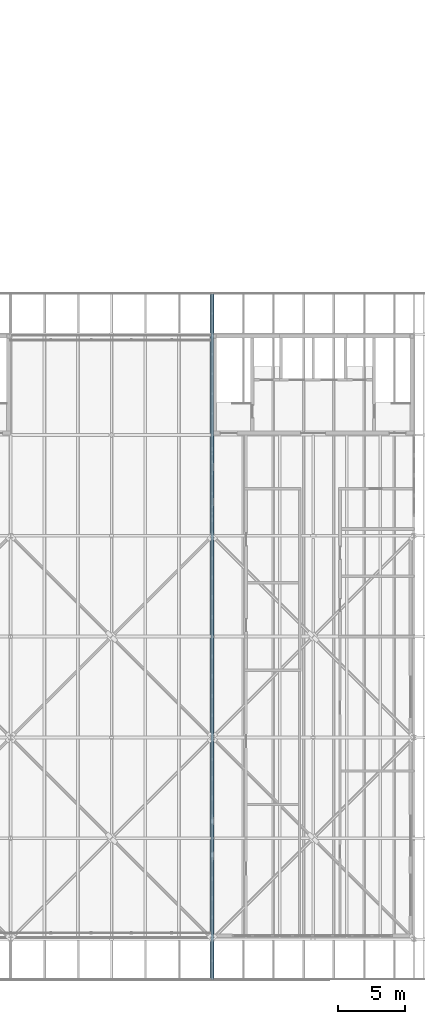
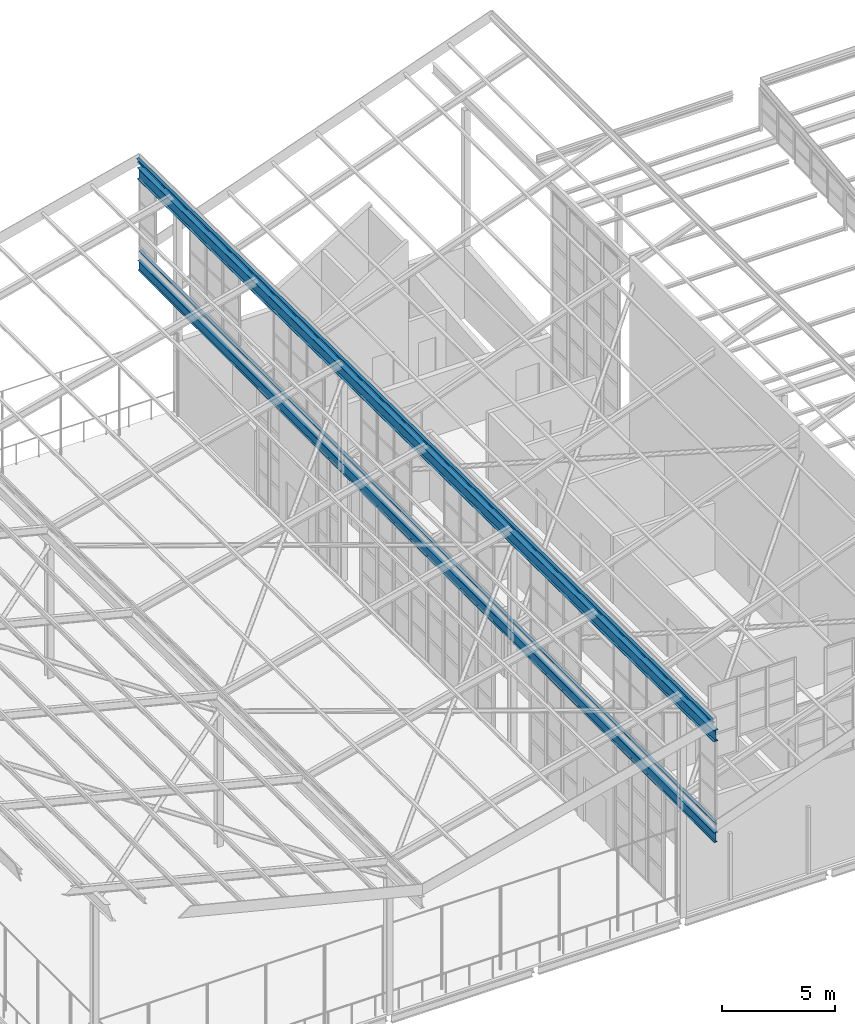
# One storey, part 34 of 483: 2 beams, 2 members.
"""IFC4 building model written with IfcOpenShell, lengths in metres."""

from ifc_helpers import new_model, si_unit, direction, frame, origin, origin_2d, place, context, subcontext, project, spatial, i_section, extrude, material, material_profile, profile_set, type_object, element, save


model = new_model("IFC4")

# Units and contexts
model_context = context("Model", 3, precision=1e-05, world=origin(), true_north=direction((0.0, 1.0)))
body_context = subcontext(model_context, "Body", "Model", "MODEL_VIEW")
ifc_project = project(units=[si_unit("LENGTHUNIT", "METRE"), si_unit("AREAUNIT", "SQUARE_METRE"), si_unit("VOLUMEUNIT", "CUBIC_METRE"), si_unit("PLANEANGLEUNIT", "RADIAN"), si_unit("MASSUNIT", "GRAM", prefix="KILO")], contexts=[model_context])

# Site, building, storey
site_placement = place(None, origin())
site = spatial("IfcSite", under=ifc_project, at=site_placement, CompositionType="ELEMENT")
building_placement = place(site_placement, origin())
building = spatial("IfcBuilding", under=site, at=building_placement, Name="Parallax Yard Mobility Hub", CompositionType="ELEMENT")
storey_placement = place(building_placement, frame((0.0, 0.0, 13.199951171875)))
storey = spatial("IfcBuildingStorey", under=building, at=storey_placement, Name="L04", CompositionType="ELEMENT", Elevation=13.199951171875)

# Beams
ifc_material = material(Name="Steel ASTM A992", Category="steel")
ifc_material_profile_1 = material_profile(ifc_material, i_section(OverallWidth=0.166015625, OverallDepth=0.529052734375, WebThickness=0.009765625, FlangeThickness=0.013671875, at=origin_2d()), Name="W530x74")
ifc_profile_set_1 = profile_set([ifc_material_profile_1], Name="Steel ASTM A992")
beam_type_1 = type_object("IfcBeamType", Name="Pavilion girder W530x74", PredefinedType="BEAM", material=ifc_profile_set_1)
beam_1_placement = place(storey_placement, frame((127.5, 4.5, 6.064453125), z_axis=(0.0, 1.0, 0.0), x_axis=(-1.0, 0.0, 0.0)))
element("IfcBeam", 1, at=beam_1_placement, inside=storey, type_object=beam_type_1, Name="Pavilion girder line x 127.5", PredefinedType="BEAM", context=body_context, shape_type="SweptSolid", body=[
    extrude(i_section(OverallWidth=0.166015625, OverallDepth=0.529052734375, WebThickness=0.009765625, FlangeThickness=0.013671875, at=origin_2d()), origin(), (0.0, 0.0, 1.0), 51.0),
])
ifc_material_profile_2 = material_profile(ifc_material, i_section(OverallWidth=0.22802734375, OverallDepth=0.60302734375, WebThickness=0.010498046875, FlangeThickness=0.014892578125, at=origin_2d()), Name="W610x101")
ifc_profile_set_2 = profile_set([ifc_material_profile_2], Name="Steel ASTM A992")
beam_type_2 = type_object("IfcBeamType", Name="Roof edge girder W610x101", PredefinedType="BEAM", material=ifc_profile_set_2)
beam_2_placement = place(storey_placement, frame((127.5, 4.5, 11.551513671875), z_axis=(0.0, 0.999950001835, -0.009999691492), x_axis=(-1.0, 0.0, 0.0)))
element("IfcBeam", 2, at=beam_2_placement, inside=storey, type_object=beam_type_2, Name="Roof edge girder butterfly line x 127.5", PredefinedType="BEAM", context=body_context, shape_type="SweptSolid", body=[
    extrude(i_section(OverallWidth=0.22802734375, OverallDepth=0.60302734375, WebThickness=0.010498046875, FlangeThickness=0.014892578125, at=origin_2d()), origin(), (0.0, 0.0, 1.0), 51.00244140625),
])

# Members
ifc_material_profile_3 = material_profile(ifc_material, i_section(OverallWidth=0.133056640625, OverallDepth=0.20703125, WebThickness=0.005859375, FlangeThickness=0.00830078125, at=origin_2d()), Name="W200x27")
ifc_profile_set_3 = profile_set([ifc_material_profile_3], Name="Steel ASTM A992")
member_type = type_object("IfcMemberType", Name="Roof purlin W200x27", PredefinedType="PURLIN", material=ifc_profile_set_3)
member_1_placement = place(storey_placement, frame((127.405029296875, 4.55908203125, 12.31494140625), z_axis=(0.0, 0.999950005669, -0.009999308131), x_axis=(-0.970145223913, -0.002425079502, -0.242512604844)))
element("IfcMember", 3, at=member_1_placement, inside=storey, type_object=member_type, Name="Roof purlin court east wing line 7", PredefinedType="PURLIN", context=body_context, shape_type="SweptSolid", body=[
    extrude(i_section(OverallWidth=0.133056640625, OverallDepth=0.20703125, WebThickness=0.005859375, FlangeThickness=0.00830078125, at=origin_2d()), origin(), (0.0, 0.0, 1.0), 50.88232421875),
])
member_2_placement = place(storey_placement, frame((127.53515625, 4.56005859375, 6.7890625), z_axis=(0.0, 1.0, 0.0), x_axis=(-0.940887272082, 0.0, -0.338719856569)))
element("IfcMember", 4, at=member_2_placement, inside=storey, type_object=member_type, Name="Roof purlin pavilion line 1", PredefinedType="PURLIN", context=body_context, shape_type="SweptSolid", body=[
    extrude(i_section(OverallWidth=0.133056640625, OverallDepth=0.20703125, WebThickness=0.005859375, FlangeThickness=0.00830078125, at=origin_2d()), origin(), (0.0, 0.0, 1.0), 50.8798828125),
])

save(model, "model.ifc")
